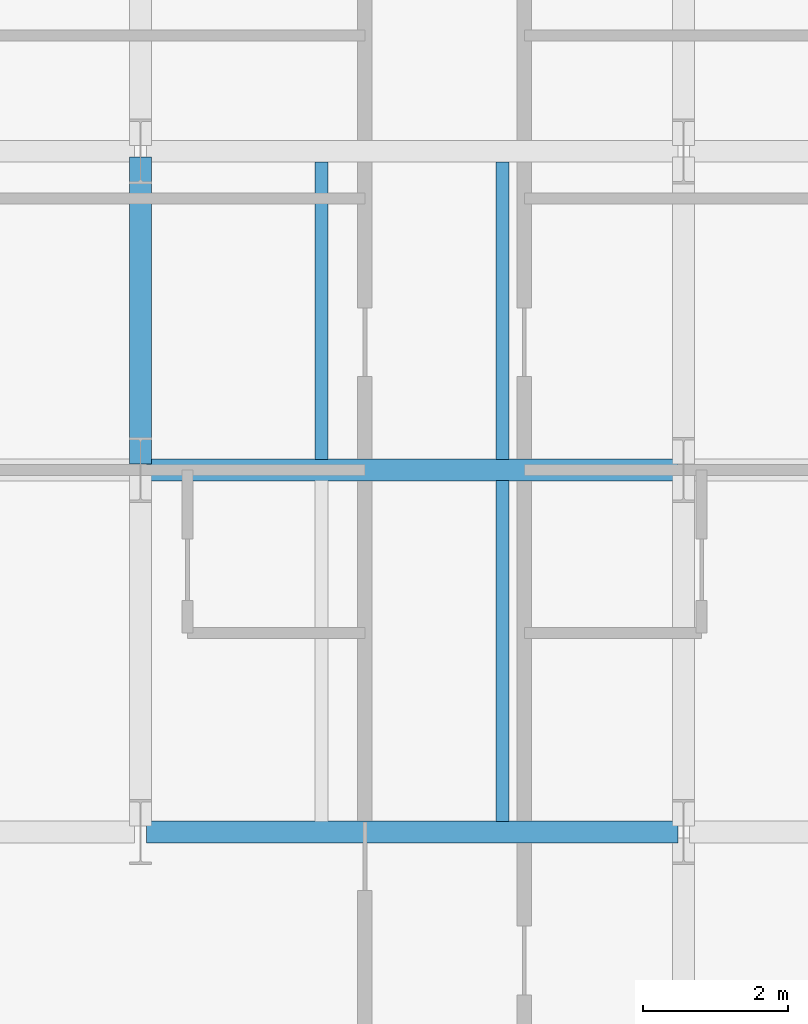
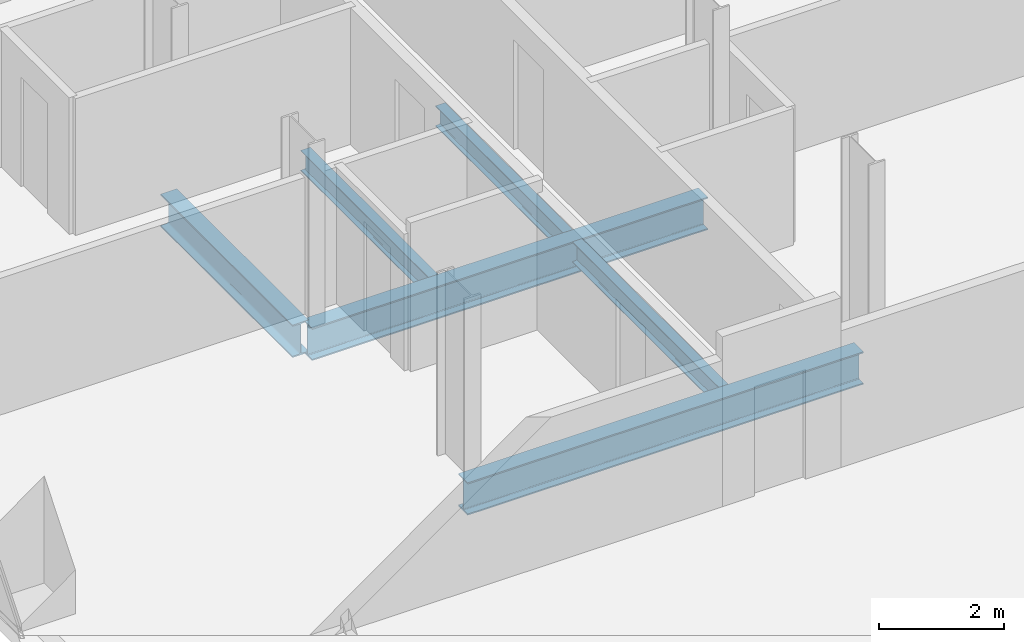
# One storey, part 5 of 32: 6 beams.
"""IFC4 building model written with IfcOpenShell, lengths in metres."""

from ifc_helpers import new_model, si_unit, direction, frame, origin, origin_2d, place, context, subcontext, project, spatial, i_section, extrude, material, material_profile, profile_set, type_object, element, save


model = new_model("IFC4")

# Units and contexts
model_context = context("Model", 3, precision=1e-05, world=origin(), true_north=direction((0.0, 1.0)))
body_context = subcontext(model_context, "Body", "Model", "MODEL_VIEW")
ifc_project = project(units=[si_unit("LENGTHUNIT", "METRE"), si_unit("AREAUNIT", "SQUARE_METRE"), si_unit("VOLUMEUNIT", "CUBIC_METRE"), si_unit("PLANEANGLEUNIT", "RADIAN"), si_unit("MASSUNIT", "GRAM", prefix="KILO")], contexts=[model_context])

# Site, building, storey
site_placement = place(None, origin())
site = spatial("IfcSite", under=ifc_project, at=site_placement, CompositionType="ELEMENT")
building_placement = place(site_placement, origin())
building = spatial("IfcBuilding", under=site, at=building_placement, Name="Catumbela Crestline Tower", CompositionType="ELEMENT")
storey_placement = place(building_placement, frame((0.0, 0.0, 29.4)))
storey = spatial("IfcBuildingStorey", under=building, at=storey_placement, Name="L06", CompositionType="ELEMENT", Elevation=29.4)

# Beams
ifc_material = material(Name="Structural steel S355J2", Category="steel")
ifc_material_profile_1 = material_profile(ifc_material, i_section(OverallWidth=0.3, OverallDepth=0.64, WebThickness=0.0135, FlangeThickness=0.026, FilletRadius=0.027, at=origin_2d()), Name="HEA 650")
ifc_profile_set_1 = profile_set([ifc_material_profile_1], Name="Structural steel S355J2")
beam_type_1 = type_object("IfcBeamType", Name="BG-HEA650", PredefinedType="BEAM", material=ifc_profile_set_1)
for number, where, z_axis, x_axis, name in (
    (1, (8.58, 8.6, -0.58), (1.0, 0.0, 0.0), (0.0, 1.0, 0.0), "L06 Beam BM-L06-WEW49"),
    (2, (8.58, 13.6, -0.58), (1.0, 0.0, 0.0), (0.0, 1.0, 0.0), "L06 Beam BM-L06-WEW52"),
):
    element("IfcBeam", number, at=place(storey_placement, frame(where, z_axis=z_axis, x_axis=x_axis)), inside=storey, type_object=beam_type_1, Name=name, PredefinedType="BEAM", context=body_context, shape_type="SweptSolid", body=[
        extrude(i_section(OverallWidth=0.3, OverallDepth=0.64, WebThickness=0.0135, FlangeThickness=0.026, FilletRadius=0.027, at=origin_2d()), origin(), (0.0, 0.0, 1.0), 7.34),
    ])
beam_1_placement = place(storey_placement, frame((8.5, 13.68, -0.58), z_axis=(0.0, 1.0, 0.0), x_axis=(-1.0, 0.0, 0.0)))
element("IfcBeam", 3, at=beam_1_placement, inside=storey, type_object=beam_type_1, Name="L06 Beam BM-L06-WNS62", PredefinedType="BEAM", context=body_context, shape_type="SweptSolid", body=[
    extrude(i_section(OverallWidth=0.3, OverallDepth=0.64, WebThickness=0.0135, FlangeThickness=0.026, FilletRadius=0.027, at=origin_2d()), origin(), (0.0, 0.0, 1.0), 4.24),
])
ifc_material_profile_2 = material_profile(ifc_material, i_section(OverallWidth=0.18, OverallDepth=0.4, WebThickness=0.0086, FlangeThickness=0.0135, FilletRadius=0.021, at=origin_2d()), Name="IPE 400")
ifc_profile_set_2 = profile_set([ifc_material_profile_2], Name="Structural steel S355J2")
beam_type_2 = type_object("IfcBeamType", Name="BJ-IPE400", PredefinedType="JOIST", material=ifc_profile_set_2)
beam_2_placement = place(storey_placement, frame((13.5, 8.747, -0.46), z_axis=(0.0, 1.0, 0.0), x_axis=(-1.0, 0.0, 0.0)))
element("IfcBeam", 4, at=beam_2_placement, inside=storey, type_object=beam_type_2, Name="L06 Joist JS-L06-WG73", PredefinedType="JOIST", context=body_context, shape_type="SweptSolid", body=[
    extrude(i_section(OverallWidth=0.18, OverallDepth=0.4, WebThickness=0.0086, FlangeThickness=0.0135, FilletRadius=0.021, at=origin_2d()), origin(), (0.0, 0.0, 1.0), 4.706),
])
for number, where, z_axis, x_axis, name in (
    (5, (11.0, 13.747, -0.46), (0.0, 1.0, 0.0), (-1.0, 0.0, 0.0), "L06 Joist JS-L06-WG78"),
    (6, (13.5, 13.747, -0.46), (0.0, 1.0, 0.0), (-1.0, 0.0, 0.0), "L06 Joist JS-L06-WG79"),
):
    element("IfcBeam", number, at=place(storey_placement, frame(where, z_axis=z_axis, x_axis=x_axis)), inside=storey, type_object=beam_type_2, Name=name, PredefinedType="JOIST", context=body_context, shape_type="SweptSolid", body=[
        extrude(i_section(OverallWidth=0.18, OverallDepth=0.4, WebThickness=0.0086, FlangeThickness=0.0135, FilletRadius=0.021, at=origin_2d()), origin(), (0.0, 0.0, 1.0), 4.106),
    ])

save(model, "model.ifc")
